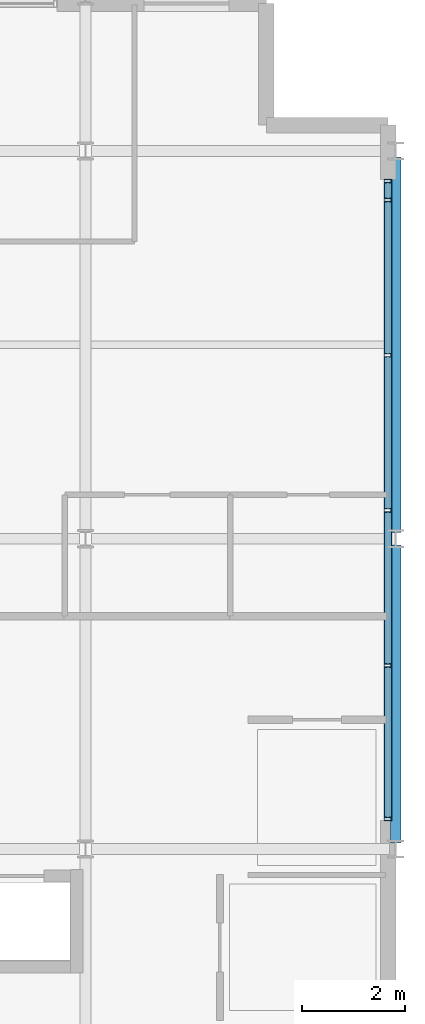
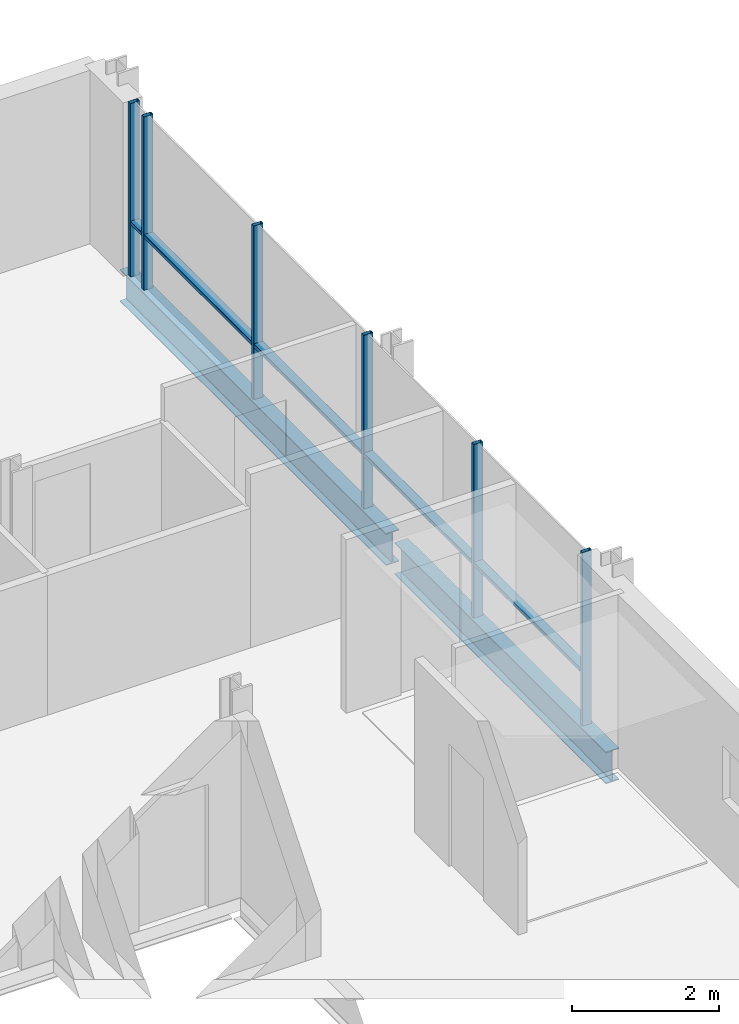
# One storey, part 5 of 12: 11 members, 2 beams, 1 element without a shape of its own.
"""IFC4 building model written with IfcOpenShell, lengths in metres."""

from ifc_helpers import new_model, si_unit, direction, frame, origin, origin_2d, place, context, subcontext, project, spatial, hollow_rectangle, i_section, extrude, material, layer, layer_set, material_profile, profile_set, type_object, element, aggregate, save


model = new_model("IFC4")

# Units and contexts
model_context = context("Model", 3, precision=1e-05, world=origin(), true_north=direction((0.0, 1.0)))
body_context = subcontext(model_context, "Body", "Model", "MODEL_VIEW")
ifc_project = project(units=[si_unit("LENGTHUNIT", "METRE"), si_unit("AREAUNIT", "SQUARE_METRE"), si_unit("VOLUMEUNIT", "CUBIC_METRE"), si_unit("PLANEANGLEUNIT", "RADIAN"), si_unit("MASSUNIT", "GRAM", prefix="KILO")], contexts=[model_context])

# Site, building, storey
site_placement = place(None, origin())
site = spatial("IfcSite", under=ifc_project, at=site_placement, CompositionType="ELEMENT")
building_placement = place(site_placement, origin())
building = spatial("IfcBuilding", under=site, at=building_placement, Name="Brevholm Reach", CompositionType="ELEMENT")
storey_placement = place(building_placement, frame((0.0, 0.0, 233.5)))
storey = spatial("IfcBuildingStorey", under=building, at=storey_placement, Name="L71", CompositionType="ELEMENT", Elevation=233.5)

# Beams
ifc_material_1 = material(Name="Structural Steel S355J2", Category="steel")
ifc_material_profile_1 = material_profile(ifc_material_1, i_section(OverallWidth=0.209228515625, OverallDepth=0.533203125, WebThickness=0.010009765625, FlangeThickness=0.015625, FilletRadius=0.0126953125, at=origin_2d()), Name="UKB 533x210x92")
ifc_profile_set_1 = profile_set([ifc_material_profile_1], Name="Structural Steel S355J2")
beam_type = type_object("IfcBeamType", Name="BM-SP533", PredefinedType="SPANDREL", material=ifc_profile_set_1)
beam_1_placement = place(storey_placement, frame((60.0, 10.1201171875, -0.4765625), z_axis=(0.0, 1.0, 0.0), x_axis=(-1.0, 0.0, 0.0)))
element("IfcBeam", 1, at=beam_1_placement, inside=storey, type_object=beam_type, Name="L71 SP-02 Framing Beam", PredefinedType="SPANDREL", context=body_context, shape_type="SweptSolid", body=[
    extrude(i_section(OverallWidth=0.209228515625, OverallDepth=0.533203125, WebThickness=0.010009765625, FlangeThickness=0.015625, FilletRadius=0.0126953125, at=origin_2d()), origin(), (0.0, 0.0, 1.0), 5.759765625),
])
beam_2_placement = place(storey_placement, frame((60.0, 16.1201171875, -0.4765625), z_axis=(0.0, 1.0, 0.0), x_axis=(-1.0, 0.0, 0.0)))
element("IfcBeam", 2, at=beam_2_placement, inside=storey, type_object=beam_type, Name="L71 SP-02 Framing Beam", PredefinedType="SPANDREL", context=body_context, shape_type="SweptSolid", body=[
    extrude(i_section(OverallWidth=0.209228515625, OverallDepth=0.533203125, WebThickness=0.010009765625, FlangeThickness=0.015625, FilletRadius=0.0126953125, at=origin_2d()), origin(), (0.0, 0.0, 1.0), 7.259765625),
])

# Curtain wall, members
ifc_material_2 = material(Name="Dark Anodised Aluminium 6063-T6 and Solar-Control Glass", Category="aluminium")
ifc_layer = layer(ifc_material_2, 0.14990234375)
ifc_layer_set = layer_set([ifc_layer], Name="Dark Anodised Aluminium 6063-T6 and Solar-Control Glass")
curtain_wall_type = type_object("IfcCurtainWallType", Name="CW-01", PredefinedType="NOTDEFINED", material=ifc_layer_set)
curtain_wall_placement = place(storey_placement, origin())
curtain_wall = element("IfcCurtainWall", 3, at=curtain_wall_placement, inside=storey, type_object=curtain_wall_type, Name="L71 Curtain Wall CW-01", PredefinedType="NOTDEFINED")
ifc_material_3 = material(Name="Dark Anodised Aluminium 6063-T6", Category="aluminium")
ifc_material_profile_2 = material_profile(ifc_material_3, hollow_rectangle(XDim=0.06494140625, YDim=0.14990234375, WallThickness=0.0048828125, InnerFilletRadius=0.0048828125, OuterFilletRadius=0.010009765625, at=origin_2d()), Name="RHS 150x65x5")
ifc_profile_set_2 = profile_set([ifc_material_profile_2], Name="Dark Anodised Aluminium 6063-T6")
member_type_1 = type_object("IfcMemberType", Name="CWM-150", PredefinedType="MULLION", material=ifc_profile_set_2)
member_1_placement = place(storey_placement, frame((59.85009765625, 10.58251953125, 0.0), z_axis=(0.0, 0.0, 1.0), x_axis=(0.0, 1.0, 0.0)))
member_1 = element("IfcMember", 4, at=member_1_placement, type_object=member_type_1, Name="CM-150 Mullion 1", PredefinedType="MULLION", context=body_context, shape_type="SweptSolid", body=[
    extrude(hollow_rectangle(XDim=0.06494140625, YDim=0.14990234375, WallThickness=0.0048828125, InnerFilletRadius=0.0048828125, OuterFilletRadius=0.010009765625, at=origin_2d()), origin(), (0.0, 0.0, 1.0), 2.889892578125),
])
member_2_placement = place(storey_placement, frame((59.85009765625, 13.550048828125, 0.0), z_axis=(0.0, 0.0, 1.0), x_axis=(0.0, 1.0, 0.0)))
member_2 = element("IfcMember", 5, at=member_2_placement, type_object=member_type_1, Name="CM-150 Mullion 2", PredefinedType="MULLION", context=body_context, shape_type="SweptSolid", body=[
    extrude(hollow_rectangle(XDim=0.06494140625, YDim=0.14990234375, WallThickness=0.0048828125, InnerFilletRadius=0.0048828125, OuterFilletRadius=0.010009765625, at=origin_2d()), origin(), (0.0, 0.0, 1.0), 2.889892578125),
])
member_3_placement = place(storey_placement, frame((59.85009765625, 16.550048828125, 0.0), z_axis=(0.0, 0.0, 1.0), x_axis=(0.0, 1.0, 0.0)))
member_3 = element("IfcMember", 6, at=member_3_placement, type_object=member_type_1, Name="CM-150 Mullion 3", PredefinedType="MULLION", context=body_context, shape_type="SweptSolid", body=[
    extrude(hollow_rectangle(XDim=0.06494140625, YDim=0.14990234375, WallThickness=0.0048828125, InnerFilletRadius=0.0048828125, OuterFilletRadius=0.010009765625, at=origin_2d()), origin(), (0.0, 0.0, 1.0), 2.889892578125),
])
member_4_placement = place(storey_placement, frame((59.85009765625, 19.550048828125, 0.0), z_axis=(0.0, 0.0, 1.0), x_axis=(0.0, 1.0, 0.0)))
member_4 = element("IfcMember", 7, at=member_4_placement, type_object=member_type_1, Name="CM-150 Mullion 4", PredefinedType="MULLION", context=body_context, shape_type="SweptSolid", body=[
    extrude(hollow_rectangle(XDim=0.06494140625, YDim=0.14990234375, WallThickness=0.0048828125, InnerFilletRadius=0.0048828125, OuterFilletRadius=0.010009765625, at=origin_2d()), origin(), (0.0, 0.0, 1.0), 2.889892578125),
])
member_5_placement = place(storey_placement, frame((59.85009765625, 22.550048828125, 0.0), z_axis=(0.0, 0.0, 1.0), x_axis=(0.0, 1.0, 0.0)))
member_5 = element("IfcMember", 8, at=member_5_placement, type_object=member_type_1, Name="CM-150 Mullion 5", PredefinedType="MULLION", context=body_context, shape_type="SweptSolid", body=[
    extrude(hollow_rectangle(XDim=0.06494140625, YDim=0.14990234375, WallThickness=0.0048828125, InnerFilletRadius=0.0048828125, OuterFilletRadius=0.010009765625, at=origin_2d()), origin(), (0.0, 0.0, 1.0), 2.889892578125),
])
member_6_placement = place(storey_placement, frame((59.85009765625, 22.91748046875, 0.0), z_axis=(0.0, 0.0, 1.0), x_axis=(0.0, 1.0, 0.0)))
member_6 = element("IfcMember", 9, at=member_6_placement, type_object=member_type_1, Name="CM-150 Mullion 6", PredefinedType="MULLION", context=body_context, shape_type="SweptSolid", body=[
    extrude(hollow_rectangle(XDim=0.06494140625, YDim=0.14990234375, WallThickness=0.0048828125, InnerFilletRadius=0.0048828125, OuterFilletRadius=0.010009765625, at=origin_2d()), origin(), (0.0, 0.0, 1.0), 2.889892578125),
])
ifc_material_4 = material(Name="Dark Anodised Aluminium 6063-T6", Category="aluminium")
ifc_material_profile_3 = material_profile(ifc_material_4, hollow_rectangle(XDim=0.06494140625, YDim=0.14990234375, WallThickness=0.0048828125, InnerFilletRadius=0.0048828125, OuterFilletRadius=0.010009765625, at=origin_2d()), Name="RHS 150x65x5")
ifc_profile_set_3 = profile_set([ifc_material_profile_3], Name="Dark Anodised Aluminium 6063-T6")
member_type_2 = type_object("IfcMemberType", Name="CWT-150", PredefinedType="NOTDEFINED", material=ifc_profile_set_3)
member_7_placement = place(storey_placement, frame((59.85009765625, 10.614990234375, 0.89990234375), z_axis=(0.0, 1.0, 0.0), x_axis=(0.0, 0.0, 1.0)))
member_7 = element("IfcMember", 10, at=member_7_placement, type_object=member_type_2, Name="CT-150 Transom 1.1", ObjectType="TRANSOM", PredefinedType="USERDEFINED", context=body_context, shape_type="SweptSolid", body=[
    extrude(hollow_rectangle(XDim=0.06494140625, YDim=0.14990234375, WallThickness=0.0048828125, InnerFilletRadius=0.0048828125, OuterFilletRadius=0.010009765625, at=origin_2d()), origin(), (0.0, 0.0, 1.0), 2.902587890625),
])
member_8_placement = place(storey_placement, frame((59.85009765625, 13.58251953125, 0.89990234375), z_axis=(0.0, 1.0, 0.0), x_axis=(0.0, 0.0, 1.0)))
member_8 = element("IfcMember", 11, at=member_8_placement, type_object=member_type_2, Name="CT-150 Transom 2.1", ObjectType="TRANSOM", PredefinedType="USERDEFINED", context=body_context, shape_type="SweptSolid", body=[
    extrude(hollow_rectangle(XDim=0.06494140625, YDim=0.14990234375, WallThickness=0.0048828125, InnerFilletRadius=0.0048828125, OuterFilletRadius=0.010009765625, at=origin_2d()), origin(), (0.0, 0.0, 1.0), 2.93505859375),
])
member_9_placement = place(storey_placement, frame((59.85009765625, 16.58251953125, 0.89990234375), z_axis=(0.0, 1.0, 0.0), x_axis=(0.0, 0.0, 1.0)))
member_9 = element("IfcMember", 12, at=member_9_placement, type_object=member_type_2, Name="CT-150 Transom 3.1", ObjectType="TRANSOM", PredefinedType="USERDEFINED", context=body_context, shape_type="SweptSolid", body=[
    extrude(hollow_rectangle(XDim=0.06494140625, YDim=0.14990234375, WallThickness=0.0048828125, InnerFilletRadius=0.0048828125, OuterFilletRadius=0.010009765625, at=origin_2d()), origin(), (0.0, 0.0, 1.0), 2.93505859375),
])
member_10_placement = place(storey_placement, frame((59.85009765625, 19.58251953125, 0.89990234375), z_axis=(0.0, 1.0, 0.0), x_axis=(0.0, 0.0, 1.0)))
member_10 = element("IfcMember", 13, at=member_10_placement, type_object=member_type_2, Name="CT-150 Transom 4.1", ObjectType="TRANSOM", PredefinedType="USERDEFINED", context=body_context, shape_type="SweptSolid", body=[
    extrude(hollow_rectangle(XDim=0.06494140625, YDim=0.14990234375, WallThickness=0.0048828125, InnerFilletRadius=0.0048828125, OuterFilletRadius=0.010009765625, at=origin_2d()), origin(), (0.0, 0.0, 1.0), 2.93505859375),
])
member_11_placement = place(storey_placement, frame((59.85009765625, 22.58251953125, 0.89990234375), z_axis=(0.0, 1.0, 0.0), x_axis=(0.0, 0.0, 1.0)))
member_11 = element("IfcMember", 14, at=member_11_placement, type_object=member_type_2, Name="CT-150 Transom 5.1", ObjectType="TRANSOM", PredefinedType="USERDEFINED", context=body_context, shape_type="SweptSolid", body=[
    extrude(hollow_rectangle(XDim=0.06494140625, YDim=0.14990234375, WallThickness=0.0048828125, InnerFilletRadius=0.0048828125, OuterFilletRadius=0.010009765625, at=origin_2d()), origin(), (0.0, 0.0, 1.0), 0.302490234375),
])
aggregate(curtain_wall, [member_1, member_2, member_3, member_4, member_5, member_6, member_7, member_8, member_9, member_10, member_11])

save(model, "model.ifc")
